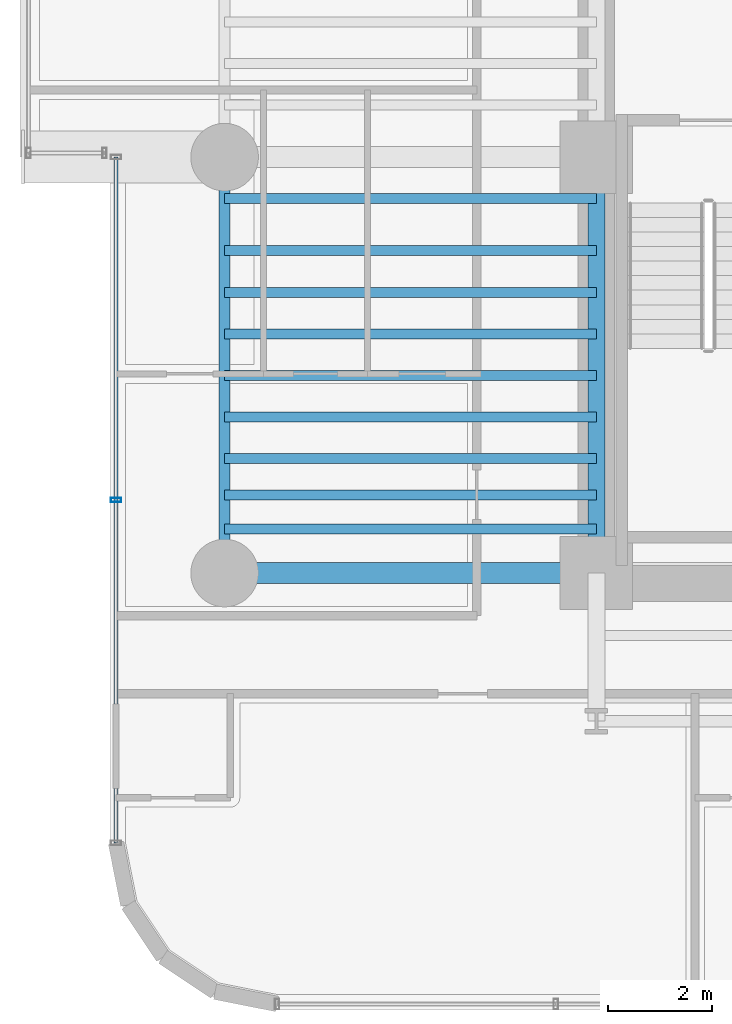
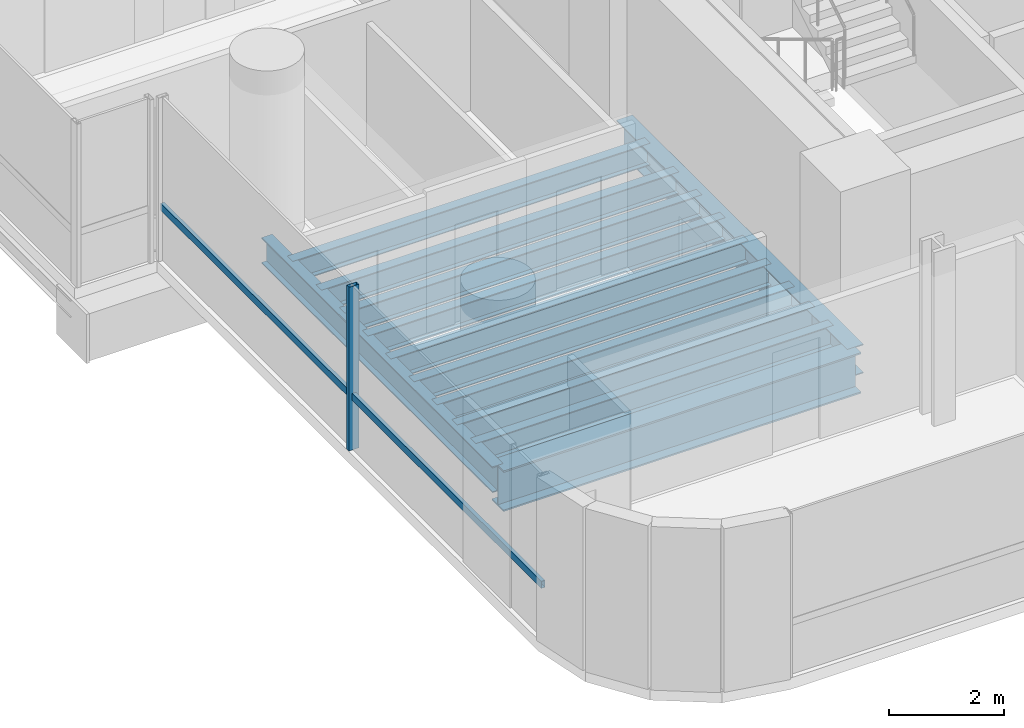
# One storey, part 4 of 40: 12 beams, 2 members, 1 element without a shape of its own.
"""IFC4 building model written with IfcOpenShell, lengths in metres."""

from ifc_helpers import new_model, si_unit, direction, frame, origin, origin_2d, place, context, subcontext, project, spatial, hollow_rectangle, i_section, extrude, source, transform, mapped, material, material_profile, profile_set, type_object, element, aggregate, save


model = new_model("IFC4")

# Units and contexts
model_context = context("Model", 3, precision=1e-05, world=origin(), true_north=direction((0.0, 1.0)))
body_context = subcontext(model_context, "Body", "Model", "MODEL_VIEW")
ifc_project = project(units=[si_unit("LENGTHUNIT", "METRE"), si_unit("AREAUNIT", "SQUARE_METRE"), si_unit("VOLUMEUNIT", "CUBIC_METRE"), si_unit("PLANEANGLEUNIT", "RADIAN"), si_unit("MASSUNIT", "GRAM", prefix="KILO")], contexts=[model_context])

# Site, building, storey
site_placement = place(None, origin())
site = spatial("IfcSite", under=ifc_project, at=site_placement, CompositionType="ELEMENT")
building_placement = place(site_placement, origin())
building = spatial("IfcBuilding", under=site, at=building_placement, Name="Valdorenza Pilgrim Sanctuary Tower", CompositionType="ELEMENT")
storey_placement = place(building_placement, frame((0.0, 0.0, 44.5)))
storey = spatial("IfcBuildingStorey", under=building, at=storey_placement, Name="L10", CompositionType="ELEMENT", Elevation=44.5)

# Beams
ifc_material_1 = material(Name="Steel ASTM A992 Grade 50", Category="steel")
ifc_material_profile_1 = material_profile(ifc_material_1, i_section(OverallWidth=0.214111328125, OverallDepth=0.549072265625, WebThickness=0.0146484375, FlangeThickness=0.023681640625, at=origin_2d()), Name="W21X93")
ifc_profile_set_1 = profile_set([ifc_material_profile_1], Name="Steel ASTM A992 Grade 50")
beam_type_1 = type_object("IfcBeamType", Name="STR-BM-SPN-W21A", PredefinedType="SPANDREL", material=ifc_profile_set_1)
shared_shape_1 = source(origin(), body_context, "Body", "SweptSolid", [
    extrude(i_section(OverallWidth=0.214111328125, OverallDepth=0.549072265625, WebThickness=0.0146484375, FlangeThickness=0.023681640625, at=origin_2d()), origin(), (0.0, 0.0, 1.0), 8.0),
])
beam_1_placement = place(storey_placement, frame((-29.800048828125, -10.60009765625, -0.514404296875), z_axis=(0.0, 1.0, 0.0), x_axis=(-1.0, 0.0, 0.0)))
element("IfcBeam", 1, at=beam_1_placement, inside=storey, type_object=beam_type_1, Name="L10 Spandrel Beam WA-W-S1M0", PredefinedType="SPANDREL", context=body_context, shape_type="MappedRepresentation", body=[
    mapped(shared_shape_1, transform((0.0, 0.0, 0.0), x_axis=(1.0, 0.0, 0.0), y_axis=(0.0, 1.0, 0.0), z_axis=(0.0, 0.0, 1.0), scale=1.0)),
])
ifc_material_profile_2 = material_profile(ifc_material_1, i_section(OverallWidth=0.323974609375, OverallDepth=0.611083984375, WebThickness=0.0126953125, FlangeThickness=0.01904296875, at=origin_2d()), Name="W24X104")
ifc_profile_set_2 = profile_set([ifc_material_profile_2], Name="Steel ASTM A992 Grade 50")
beam_type_2 = type_object("IfcBeamType", Name="STR-BM-GRD-W24B", PredefinedType="BEAM", material=ifc_profile_set_2)
shared_shape_2 = source(origin(), body_context, "Body", "SweptSolid", [
    extrude(i_section(OverallWidth=0.323974609375, OverallDepth=0.611083984375, WebThickness=0.0126953125, FlangeThickness=0.01904296875, at=origin_2d()), origin(), (0.0, 0.0, 1.0), 8.0),
])
beam_2_placement = place(storey_placement, frame((-22.64990234375, -10.60009765625, -0.54541015625), z_axis=(0.0, 1.0, 0.0), x_axis=(-1.0, 0.0, 0.0)))
element("IfcBeam", 2, at=beam_2_placement, inside=storey, type_object=beam_type_2, Name="L10 Core Tie Girder CA-W-S1M0", PredefinedType="BEAM", context=body_context, shape_type="MappedRepresentation", body=[
    mapped(shared_shape_2, transform((0.0, 0.0, 0.0), x_axis=(1.0, 0.0, 0.0), y_axis=(0.0, 1.0, 0.0), z_axis=(0.0, 0.0, 1.0), scale=1.0)),
])
ifc_material_profile_3 = material_profile(ifc_material_1, i_section(OverallWidth=0.193115234375, OverallDepth=0.466064453125, WebThickness=0.011474609375, FlangeThickness=0.01904296875, at=origin_2d()), Name="W18X65")
ifc_profile_set_3 = profile_set([ifc_material_profile_3], Name="Steel ASTM A992 Grade 50")
beam_type_3 = type_object("IfcBeamType", Name="STR-BM-JST-W18A", PredefinedType="JOIST", material=ifc_profile_set_3)
shared_shape_3 = source(origin(), body_context, "Body", "SweptSolid", [
    extrude(i_section(OverallWidth=0.193115234375, OverallDepth=0.466064453125, WebThickness=0.011474609375, FlangeThickness=0.01904296875, at=origin_2d()), origin(), (0.0, 0.0, 1.0), 7.150146484375),
])
for number, where, z_axis, x_axis, name in (
    (3, (-29.800048828125, -9.75, -0.472900390625), (1.0, 0.0, 0.0), (0.0, 1.0, 0.0), "L10 Composite Floor Joist JST-WA-1"),
    (4, (-29.800048828125, -9.10009765625, -0.472900390625), (1.0, 0.0, 0.0), (0.0, 1.0, 0.0), "L10 Composite Floor Joist JST-WA-2"),
    (5, (-29.800048828125, -8.39990234375, -0.472900390625), (1.0, 0.0, 0.0), (0.0, 1.0, 0.0), "L10 Composite Floor Joist JST-WA-3"),
    (6, (-29.800048828125, -7.60009765625, -0.472900390625), (1.0, 0.0, 0.0), (0.0, 1.0, 0.0), "L10 Composite Floor Joist JST-WA-4"),
    (7, (-29.800048828125, -6.800048828125, -0.472900390625), (1.0, 0.0, 0.0), (0.0, 1.0, 0.0), "L10 Composite Floor Joist JST-WA-5"),
    (8, (-29.800048828125, -6.0, -0.472900390625), (1.0, 0.0, 0.0), (0.0, 1.0, 0.0), "L10 Composite Floor Joist JST-WA-6"),
    (9, (-29.800048828125, -5.199951171875, -0.472900390625), (1.0, 0.0, 0.0), (0.0, 1.0, 0.0), "L10 Composite Floor Joist JST-WA-7"),
    (10, (-29.800048828125, -4.39990234375, -0.472900390625), (1.0, 0.0, 0.0), (0.0, 1.0, 0.0), "L10 Composite Floor Joist JST-WA-8"),
    (11, (-29.800048828125, -3.39990234375, -0.472900390625), (1.0, 0.0, 0.0), (0.0, 1.0, 0.0), "L10 Composite Floor Joist JST-WA-9"),
):
    element("IfcBeam", number, at=place(storey_placement, frame(where, z_axis=z_axis, x_axis=x_axis)), inside=storey, type_object=beam_type_3, Name=name, PredefinedType="JOIST", context=body_context, shape_type="MappedRepresentation", body=[
        mapped(shared_shape_3, transform((0.0, 0.0, 0.0), x_axis=(1.0, 0.0, 0.0), y_axis=(0.0, 1.0, 0.0), z_axis=(0.0, 0.0, 1.0), scale=1.0)),
    ])
ifc_material_profile_4 = material_profile(ifc_material_1, i_section(OverallWidth=0.39990234375, OverallDepth=0.862060546875, WebThickness=0.019775390625, FlangeThickness=0.032470703125, at=origin_2d()), Name="W33X221")
ifc_profile_set_4 = profile_set([ifc_material_profile_4], Name="Steel ASTM A992 Grade 50")
beam_type_4 = type_object("IfcBeamType", Name="STR-BM-GRD-W33", PredefinedType="BEAM", material=ifc_profile_set_4)
shared_shape_4 = source(origin(), body_context, "Body", "SweptSolid", [
    extrude(i_section(OverallWidth=0.39990234375, OverallDepth=0.862060546875, WebThickness=0.019775390625, FlangeThickness=0.032470703125, at=origin_2d()), origin(), (0.0, 0.0, 1.0), 7.150146484375),
])
beam_3_placement = place(storey_placement, frame((-29.800048828125, -10.60009765625, -0.6708984375), z_axis=(1.0, 0.0, 0.0), x_axis=(0.0, 1.0, 0.0)))
element("IfcBeam", 12, at=beam_3_placement, inside=storey, type_object=beam_type_4, Name="L10 Floor Girder WA-XW-S1", PredefinedType="BEAM", context=body_context, shape_type="MappedRepresentation", body=[
    mapped(shared_shape_4, transform((0.0, 0.0, 0.0), x_axis=(1.0, 0.0, 0.0), y_axis=(0.0, 1.0, 0.0), z_axis=(0.0, 0.0, 1.0), scale=1.0)),
])

# Curtain wall, members
ifc_material_2 = material(Name="Curtain-wall IGU glazing", Category="glass")
curtain_wall_type = type_object("IfcCurtainWallType", Name="CW-SYS-02", PredefinedType="NOTDEFINED", material=ifc_material_2)
curtain_wall_placement = place(storey_placement, origin())
curtain_wall = element("IfcCurtainWall", 13, at=curtain_wall_placement, inside=storey, type_object=curtain_wall_type, Name="L10 Curtain Wall CW-L10-1-1S1", PredefinedType="NOTDEFINED")
ifc_material_3 = material(Name="Anodised aluminium AW-6060", Category="aluminium")
ifc_material_profile_5 = material_profile(ifc_material_3, hollow_rectangle(XDim=0.0849609375, YDim=0.199951171875, WallThickness=0.0048828125, at=origin_2d()), Name="ALU-M 200x85x5")
ifc_profile_set_5 = profile_set([ifc_material_profile_5], Name="Anodised aluminium AW-6060")
member_type_1 = type_object("IfcMemberType", Name="CW-MUL-02", PredefinedType="MULLION", material=ifc_profile_set_5)
shared_shape_5 = source(origin(), body_context, "Body", "SweptSolid", [
    extrude(hollow_rectangle(XDim=0.0849609375, YDim=0.199951171875, WallThickness=0.0048828125, at=origin_2d()), origin(), (0.0, 0.0, 1.0), 3.4599609375),
])
member_1_placement = place(storey_placement, frame((-31.889892578125, -9.194580078125, 0.0), z_axis=(0.0, 0.0, 1.0), x_axis=(0.0, 1.0, 0.0)))
member_1 = element("IfcMember", 14, at=member_1_placement, type_object=member_type_1, Name="CW-L10-1-1S1 Mullion 2", PredefinedType="MULLION", context=body_context, shape_type="MappedRepresentation", body=[
    mapped(shared_shape_5, transform((0.0, 0.0, 0.0), x_axis=(1.0, 0.0, 0.0), y_axis=(0.0, 1.0, 0.0), z_axis=(0.0, 0.0, 1.0), scale=1.0)),
])
ifc_material_profile_6 = material_profile(ifc_material_3, hollow_rectangle(XDim=0.074951171875, YDim=0.14990234375, WallThickness=0.00390625, at=origin_2d()), Name="ALU-T 150x75x4")
ifc_profile_set_6 = profile_set([ifc_material_profile_6], Name="Anodised aluminium AW-6060")
member_type_2 = type_object("IfcMemberType", Name="CW-TRN-02", PredefinedType="USERDEFINED", material=ifc_profile_set_6)
shared_shape_6 = source(origin(), body_context, "Body", "SweptSolid", [
    extrude(hollow_rectangle(XDim=0.074951171875, YDim=0.14990234375, WallThickness=0.00390625, at=origin_2d()), origin(), (0.0, 0.0, 1.0), 13.189208984375),
])
member_2_placement = place(storey_placement, frame((-31.889892578125, -15.789306640625, 1.1201171875), z_axis=(0.0, 1.0, 0.0), x_axis=(-1.0, 0.0, 0.0)))
member_2 = element("IfcMember", 15, at=member_2_placement, type_object=member_type_2, Name="CW-L10-1-1S1 Transom 1", ObjectType="TRANSOM", PredefinedType="USERDEFINED", context=body_context, shape_type="MappedRepresentation", body=[
    mapped(shared_shape_6, transform((0.0, 0.0, 0.0), x_axis=(1.0, 0.0, 0.0), y_axis=(0.0, 1.0, 0.0), z_axis=(0.0, 0.0, 1.0), scale=1.0)),
])
aggregate(curtain_wall, [member_1, member_2])

save(model, "model.ifc")
